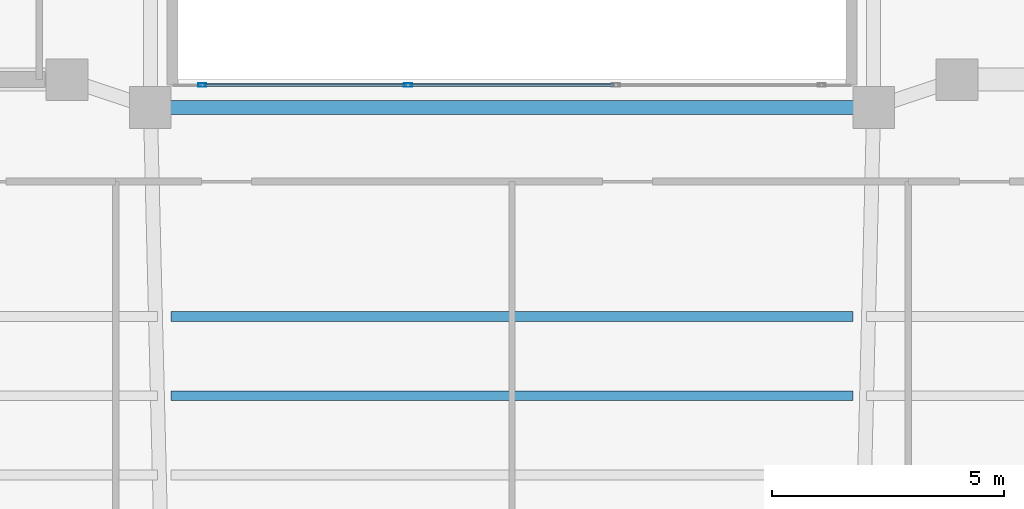
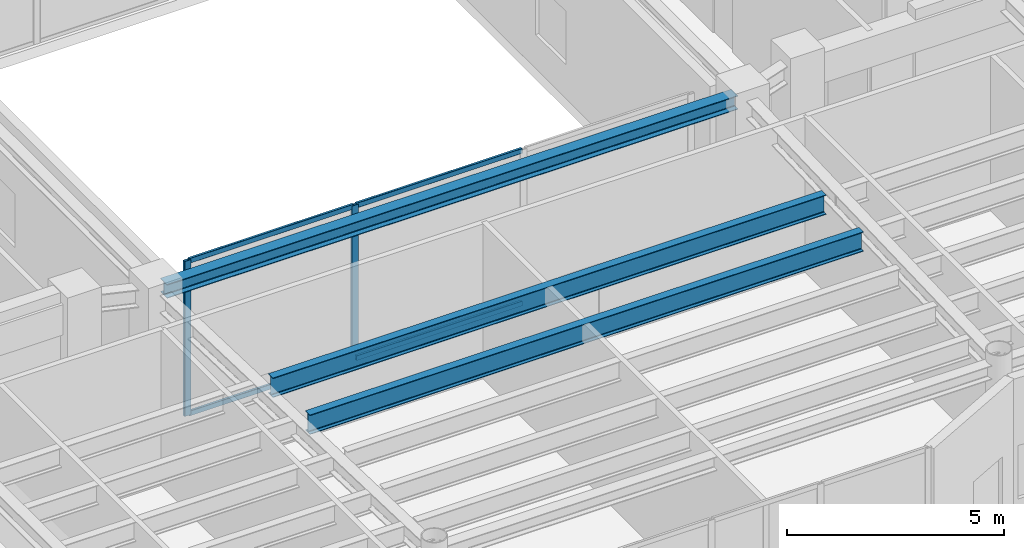
# One storey, part 6 of 34: 6 members, 3 beams, 1 element without a shape of its own.
"""IFC4 building model written with IfcOpenShell, lengths in metres."""

from ifc_helpers import new_model, si_unit, direction, frame, origin, origin_2d, place, context, subcontext, project, spatial, hollow_rectangle, i_section, extrude, material, layer, layer_set, material_profile, profile_set, type_object, element, aggregate, save


model = new_model("IFC4")

# Units and contexts
model_context = context("Model", 3, precision=1e-05, world=origin(), true_north=direction((0.0, 1.0)))
body_context = subcontext(model_context, "Body", "Model", "MODEL_VIEW")
ifc_project = project(units=[si_unit("LENGTHUNIT", "METRE"), si_unit("AREAUNIT", "SQUARE_METRE"), si_unit("VOLUMEUNIT", "CUBIC_METRE"), si_unit("PLANEANGLEUNIT", "RADIAN"), si_unit("MASSUNIT", "GRAM", prefix="KILO")], contexts=[model_context])

# Site, building, storey
site_placement = place(None, origin())
site = spatial("IfcSite", under=ifc_project, at=site_placement, CompositionType="ELEMENT")
building_placement = place(site_placement, origin())
building = spatial("IfcBuilding", under=site, at=building_placement, Name="Tarnavaz Court Tower", CompositionType="ELEMENT")
storey_placement = place(building_placement, frame((0.0, 0.0, 231.75)))
storey = spatial("IfcBuildingStorey", under=building, at=storey_placement, Name="L63", CompositionType="ELEMENT", Elevation=231.75)

# Beams
ifc_material_1 = material(Name="Steel S355", Category="steel")
ifc_material_profile_1 = material_profile(ifc_material_1, i_section(OverallWidth=0.2099609375, OverallDepth=0.550048828125, WebThickness=0.010986328125, FlangeThickness=0.01708984375, FilletRadius=0.02392578125, at=origin_2d()), Name="IPE 550")
ifc_profile_set_1 = profile_set([ifc_material_profile_1], Name="Steel S355")
beam_type_1 = type_object("IfcBeamType", Name="BM-J-IPE550", PredefinedType="JOIST", material=ifc_profile_set_1)
for number, where, z_axis, x_axis, name in (
    (1, (-7.35009765625, -12.31005859375, 4.074951171875), (1.0, 0.0, 0.0), (0.0, 1.0, 0.0), "L63 Beam JS1-2"),
    (2, (-7.35009765625, -14.02001953125, 4.074951171875), (1.0, 0.0, 0.0), (0.0, 1.0, 0.0), "L63 Beam JS2-2"),
):
    element("IfcBeam", number, at=place(storey_placement, frame(where, z_axis=z_axis, x_axis=x_axis)), inside=storey, type_object=beam_type_1, Name=name, PredefinedType="JOIST", context=body_context, shape_type="SweptSolid", body=[
        extrude(i_section(OverallWidth=0.2099609375, OverallDepth=0.550048828125, WebThickness=0.010986328125, FlangeThickness=0.01708984375, FilletRadius=0.02392578125, at=origin_2d()), origin(), (0.0, 0.0, 1.0), 14.7001953125),
    ])
ifc_material_profile_2 = material_profile(ifc_material_1, i_section(OverallWidth=0.300048828125, OverallDepth=0.389892578125, WebThickness=0.010986328125, FlangeThickness=0.01904296875, FilletRadius=0.027099609375, at=origin_2d()), Name="HEA 400")
ifc_profile_set_2 = profile_set([ifc_material_profile_2], Name="Steel S355")
beam_type_2 = type_object("IfcBeamType", Name="BM-SP-HEA400", PredefinedType="BEAM", material=ifc_profile_set_2)
beam_placement = place(storey_placement, frame((-7.580078125, -7.800048828125, 4.155029296875), z_axis=(1.0, 0.0, 0.0), x_axis=(0.0, 1.0, 0.0)))
element("IfcBeam", 3, at=beam_placement, inside=storey, type_object=beam_type_2, Name="L63 Beam IN-IW-SW-IW-SE", PredefinedType="BEAM", context=body_context, shape_type="SweptSolid", body=[
    extrude(i_section(OverallWidth=0.300048828125, OverallDepth=0.389892578125, WebThickness=0.010986328125, FlangeThickness=0.01904296875, FilletRadius=0.027099609375, at=origin_2d()), origin(), (0.0, 0.0, 1.0), 15.16015625),
])

# Curtain wall, members
ifc_material_2 = material(Name="Anodised Aluminium 6063-T6 and Solar Low-E Glazing", Category="aluminium")
ifc_layer = layer(ifc_material_2, 0.139892578125)
ifc_layer_set = layer_set([ifc_layer], Name="Anodised Aluminium 6063-T6 and Solar Low-E Glazing")
curtain_wall_type = type_object("IfcCurtainWallType", Name="CW-SYS-04", PredefinedType="NOTDEFINED", material=ifc_layer_set)
curtain_wall_placement = place(storey_placement, origin())
curtain_wall = element("IfcCurtainWall", 4, at=curtain_wall_placement, inside=storey, type_object=curtain_wall_type, Name="L63 Badgir Courtyard Curtain Wall S", PredefinedType="NOTDEFINED")
ifc_material_3 = material(Name="Anodised Aluminium 6063-T6", Category="aluminium")
ifc_material_profile_3 = material_profile(ifc_material_3, hollow_rectangle(XDim=0.074951171875, YDim=0.179931640625, WallThickness=0.0048828125, InnerFilletRadius=0.0048828125, OuterFilletRadius=0.010009765625, at=origin_2d()), Name="ALU RHS 180X75X5")
ifc_profile_set_3 = profile_set([ifc_material_profile_3], Name="Anodised Aluminium 6063-T6")
member_type_1 = type_object("IfcMemberType", Name="CW-MUL-180", PredefinedType="MULLION", material=ifc_profile_set_3)
member_1_placement = place(storey_placement, frame((-6.6826171875, -7.320068359375, 0.0), z_axis=(0.0, 0.0, 1.0), x_axis=(0.0, 1.0, 0.0)))
member_1 = element("IfcMember", 5, at=member_1_placement, type_object=member_type_1, Name="CW mullion 1", PredefinedType="MULLION", context=body_context, shape_type="SweptSolid", body=[
    extrude(hollow_rectangle(XDim=0.074951171875, YDim=0.179931640625, WallThickness=0.0048828125, InnerFilletRadius=0.0048828125, OuterFilletRadius=0.010009765625, at=origin_2d()), origin(), (0.0, 0.0, 1.0), 4.35009765625),
])
member_2_placement = place(storey_placement, frame((-2.239990234375, -7.320068359375, 0.0), z_axis=(0.0, 0.0, 1.0), x_axis=(0.0, 1.0, 0.0)))
member_2 = element("IfcMember", 6, at=member_2_placement, type_object=member_type_1, Name="CW mullion 2", PredefinedType="MULLION", context=body_context, shape_type="SweptSolid", body=[
    extrude(hollow_rectangle(XDim=0.074951171875, YDim=0.179931640625, WallThickness=0.0048828125, InnerFilletRadius=0.0048828125, OuterFilletRadius=0.010009765625, at=origin_2d()), origin(), (0.0, 0.0, 1.0), 4.35009765625),
])
ifc_material_profile_4 = material_profile(ifc_material_3, hollow_rectangle(XDim=0.06494140625, YDim=0.139892578125, WallThickness=0.00390625, InnerFilletRadius=0.00390625, OuterFilletRadius=0.008056640625, at=origin_2d()), Name="ALU RHS 140X65X4")
ifc_profile_set_4 = profile_set([ifc_material_profile_4], Name="Anodised Aluminium 6063-T6")
member_type_2 = type_object("IfcMemberType", Name="CW-TRN-140", PredefinedType="USERDEFINED", material=ifc_profile_set_4)
member_3_placement = place(storey_placement, frame((-6.64501953125, -7.320068359375, 0.032470703125), z_axis=(1.0, 0.0, 0.0), x_axis=(0.0, 1.0, 0.0)))
member_3 = element("IfcMember", 7, at=member_3_placement, type_object=member_type_2, Name="CW transom 1.1", ObjectType="TRANSOM", PredefinedType="USERDEFINED", context=body_context, shape_type="SweptSolid", body=[
    extrude(hollow_rectangle(XDim=0.06494140625, YDim=0.139892578125, WallThickness=0.00390625, InnerFilletRadius=0.00390625, OuterFilletRadius=0.008056640625, at=origin_2d()), origin(), (0.0, 0.0, 1.0), 4.367431640625),
])
member_4_placement = place(storey_placement, frame((-6.64501953125, -7.320068359375, 4.3173828125), z_axis=(1.0, 0.0, 0.0), x_axis=(0.0, 1.0, 0.0)))
member_4 = element("IfcMember", 8, at=member_4_placement, type_object=member_type_2, Name="CW transom 1.2", ObjectType="TRANSOM", PredefinedType="USERDEFINED", context=body_context, shape_type="SweptSolid", body=[
    extrude(hollow_rectangle(XDim=0.06494140625, YDim=0.139892578125, WallThickness=0.00390625, InnerFilletRadius=0.00390625, OuterFilletRadius=0.008056640625, at=origin_2d()), origin(), (0.0, 0.0, 1.0), 4.367431640625),
])
member_5_placement = place(storey_placement, frame((-2.202392578125, -7.320068359375, 0.032470703125), z_axis=(1.0, 0.0, 0.0), x_axis=(0.0, 1.0, 0.0)))
member_5 = element("IfcMember", 9, at=member_5_placement, type_object=member_type_2, Name="CW transom 2.1", ObjectType="TRANSOM", PredefinedType="USERDEFINED", context=body_context, shape_type="SweptSolid", body=[
    extrude(hollow_rectangle(XDim=0.06494140625, YDim=0.139892578125, WallThickness=0.00390625, InnerFilletRadius=0.00390625, OuterFilletRadius=0.008056640625, at=origin_2d()), origin(), (0.0, 0.0, 1.0), 4.40478515625),
])
member_6_placement = place(storey_placement, frame((-2.202392578125, -7.320068359375, 4.3173828125), z_axis=(1.0, 0.0, 0.0), x_axis=(0.0, 1.0, 0.0)))
member_6 = element("IfcMember", 10, at=member_6_placement, type_object=member_type_2, Name="CW transom 2.2", ObjectType="TRANSOM", PredefinedType="USERDEFINED", context=body_context, shape_type="SweptSolid", body=[
    extrude(hollow_rectangle(XDim=0.06494140625, YDim=0.139892578125, WallThickness=0.00390625, InnerFilletRadius=0.00390625, OuterFilletRadius=0.008056640625, at=origin_2d()), origin(), (0.0, 0.0, 1.0), 4.40478515625),
])
aggregate(curtain_wall, [member_1, member_2, member_3, member_4, member_5, member_6])

save(model, "model.ifc")
